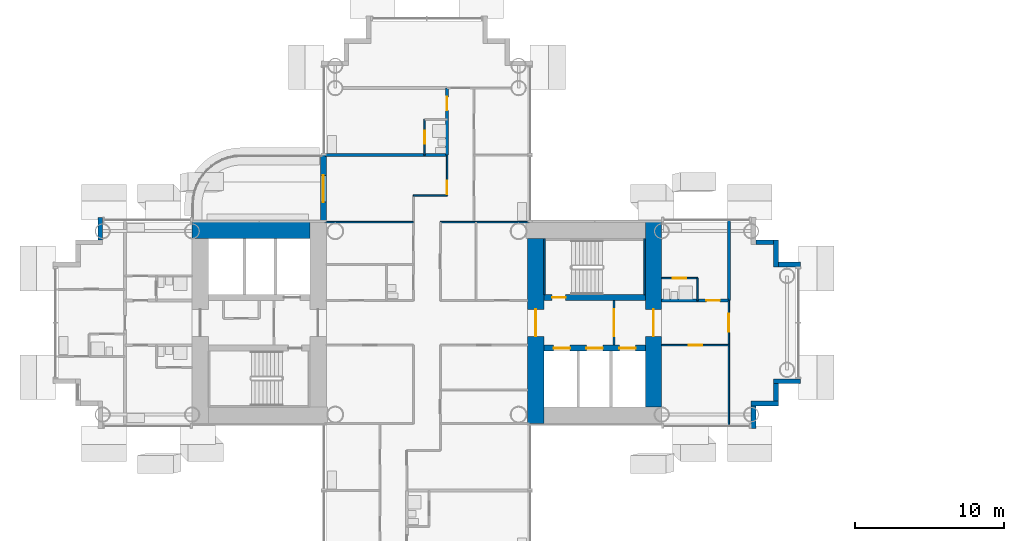
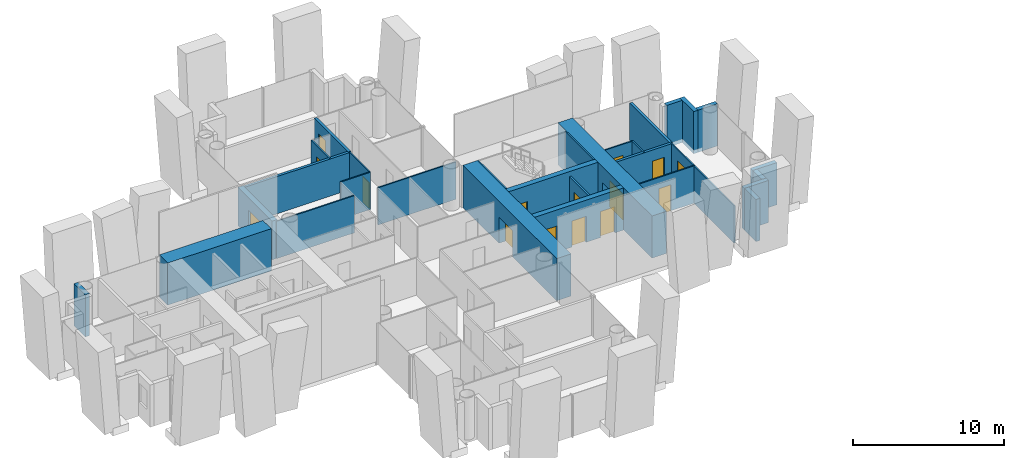
# One storey, part 12 of 25: 30 walls, 15 doors, 15 openings.
"""IFC4 building model written with IfcOpenShell, lengths in metres."""

from ifc_helpers import new_model, si_unit, direction, frame, frame_2d, origin, place, context, subcontext, project, spatial, rectangle, extrude, material, layer, layer_set, type_object, element, fill, save


model = new_model("IFC4")

# Units and contexts
model_context = context("Model", 3, precision=1e-05, world=origin(), true_north=direction((0.0, 1.0)))
body_context = subcontext(model_context, "Body", "Model", "MODEL_VIEW")
ifc_project = project(units=[si_unit("LENGTHUNIT", "METRE"), si_unit("AREAUNIT", "SQUARE_METRE"), si_unit("VOLUMEUNIT", "CUBIC_METRE"), si_unit("PLANEANGLEUNIT", "RADIAN"), si_unit("MASSUNIT", "GRAM", prefix="KILO")], contexts=[model_context])

# Site, building, storey
site_placement = place(None, origin())
site = spatial("IfcSite", under=ifc_project, at=site_placement, CompositionType="ELEMENT")
building_placement = place(site_placement, origin())
building = spatial("IfcBuilding", under=site, at=building_placement, Name="Ipe Terrace Towers", CompositionType="ELEMENT")
storey_placement = place(building_placement, frame((0.0, 0.0, 58.5)))
storey = spatial("IfcBuildingStorey", under=building, at=storey_placement, Name="L15", CompositionType="ELEMENT", Elevation=58.5)

# Wall, opening, door
ifc_material_1 = material(Name="Concrete C40/50 with buff precast cladding", Category="concrete")
ifc_layer_1 = layer(ifc_material_1, 0.39990234375)
ifc_layer_set_1 = layer_set([ifc_layer_1], Name="BALCONY BAY WALL 400")
wall_type_1 = type_object("IfcWallType", Name="BALCONY BAY WALL 400", PredefinedType="STANDARD", material=ifc_layer_set_1)
wall_1_placement = place(storey_placement, frame((-42.949951171875, 11.25, -0.02001953125), z_axis=(0.0, 0.0, 1.0), x_axis=(0.0, -1.0, 0.0)))
wall_1 = element("IfcWall", 1, at=wall_1_placement, inside=storey, type_object=wall_type_1, Name="T1-W-L15-44a wall", PredefinedType="STANDARD", context=body_context, shape_type="SweptSolid", body=[
    extrude(rectangle(XDim=4.5, YDim=0.39990234375, at=frame_2d((2.25, 0.0))), origin(), (0.0, 0.0, 1.0), 3.1201171875),
])
opening_1_placement = place(wall_1_placement, frame((1.35009765625, 0.0, 0.02001953125)))
opening_1 = element("IfcOpeningElement", 2, at=opening_1_placement, cuts=wall_1, Name="Opening T1-D-L15-44", PredefinedType="OPENING", context=body_context, shape_type="SweptSolid", body=[
    extrude(rectangle(XDim=1.800048828125, YDim=2.10009765625, at=frame_2d((0.89990234375, 1.050048828125))), frame((0.0, 0.2099609375, 0.0), z_axis=(0.0, -1.0, 0.0), x_axis=(1.0, 0.0, 0.0)), (0.0, 0.0, 1.0), 0.419921875),
])
ifc_material_2 = material(Name="Aluminium alloy 6063-T6 framed glazed door", Category="aluminium")
door_type_1 = type_object("IfcDoorType", Name="BALCONY DOOR 1800 x 2100 LEFT", OperationType="SINGLE_SWING_LEFT", PredefinedType="DOOR", material=ifc_material_2)
door_1_placement = place(opening_1_placement, origin())
door_1 = element("IfcDoor", 3, at=door_1_placement, inside=storey, type_object=door_type_1, Name="DB1 door", OperationType="SINGLE_SWING_LEFT", OverallHeight=2.10009765625, OverallWidth=1.800048828125, PredefinedType="DOOR", context=body_context, shape_type="SweptSolid", body=[
    extrude(rectangle(XDim=1.800048828125, YDim=2.10009765625, at=frame_2d((0.89990234375, 1.050048828125))), frame((0.0, 0.02490234375, 0.0), z_axis=(0.0, -1.0, 0.0), x_axis=(1.0, 0.0, 0.0)), (0.0, 0.0, 1.0), 0.050048828125),
])
fill(opening_1, door_1)

# Walls
ifc_material_3 = material(Name="Concrete C40/50 with buff precast cladding", Category="concrete")
ifc_layer_2 = layer(ifc_material_3, 0.320068359375)
ifc_layer_set_2 = layer_set([ifc_layer_2], Name="BUFF CLADDING WALL 320")
wall_type_2 = type_object("IfcWallType", Name="BUFF CLADDING WALL 320", PredefinedType="STANDARD", material=ifc_layer_set_2)
wall_2_placement = place(storey_placement, frame((-14.090087890625, -7.070068359375, -0.300048828125), z_axis=(0.0, 0.0, 1.0), x_axis=(0.0, 1.0, 0.0)))
element("IfcWall", 4, at=wall_2_placement, inside=storey, type_object=wall_type_2, Name="T1-W-L15-21a wall", PredefinedType="STANDARD", context=body_context, shape_type="SweptSolid", body=[
    extrude(rectangle(XDim=1.5, YDim=0.320068359375, at=frame_2d((0.75, 0.0))), origin(), (0.0, 0.0, 1.0), 3.400146484375),
])
wall_3_placement = place(storey_placement, frame((-14.25, -5.409912109375, -0.300048828125), z_axis=(0.0, 0.0, 1.0), x_axis=(1.0, 0.0, 0.0)))
element("IfcWall", 5, at=wall_3_placement, inside=storey, type_object=wall_type_2, Name="T1-W-L15-22a wall", PredefinedType="STANDARD", context=body_context, shape_type="SweptSolid", body=[
    extrude(rectangle(XDim=1.820068359375, YDim=0.320068359375, at=frame_2d((0.91015625, 0.0))), origin(), (0.0, 0.0, 1.0), 3.400146484375),
])
wall_4_placement = place(storey_placement, frame((-12.590087890625, -5.25, -0.300048828125), z_axis=(0.0, 0.0, 1.0), x_axis=(0.0, 1.0, 0.0)))
element("IfcWall", 6, at=wall_4_placement, inside=storey, type_object=wall_type_2, Name="T1-W-L15-23a wall", PredefinedType="STANDARD", context=body_context, shape_type="SweptSolid", body=[
    extrude(rectangle(XDim=1.179931640625, YDim=0.320068359375, at=frame_2d((0.58984375, 0.0))), origin(), (0.0, 0.0, 1.0), 3.400146484375),
])
wall_5_placement = place(storey_placement, frame((-12.75, -3.909912109375, -0.300048828125), z_axis=(0.0, 0.0, 1.0), x_axis=(1.0, 0.0, 0.0)))
element("IfcWall", 7, at=wall_5_placement, inside=storey, type_object=wall_type_2, Name="T1-W-L15-24a wall", PredefinedType="STANDARD", context=body_context, shape_type="SweptSolid", body=[
    extrude(rectangle(XDim=1.820068359375, YDim=0.320068359375, at=frame_2d((0.91015625, 0.0))), origin(), (0.0, 0.0, 1.0), 3.400146484375),
])
wall_6_placement = place(storey_placement, frame((-10.929931640625, 3.909912109375, -0.300048828125), z_axis=(0.0, 0.0, 1.0), x_axis=(-1.0, 0.0, 0.0)))
element("IfcWall", 8, at=wall_6_placement, inside=storey, type_object=wall_type_2, Name="T1-W-L15-26a wall", PredefinedType="STANDARD", context=body_context, shape_type="SweptSolid", body=[
    extrude(rectangle(XDim=1.5, YDim=0.320068359375, at=frame_2d((0.75, 0.0))), origin(), (0.0, 0.0, 1.0), 3.400146484375),
])
wall_7_placement = place(storey_placement, frame((-12.590087890625, 3.75, -0.300048828125), z_axis=(0.0, 0.0, 1.0), x_axis=(0.0, 1.0, 0.0)))
element("IfcWall", 9, at=wall_7_placement, inside=storey, type_object=wall_type_2, Name="T1-W-L15-27a wall", PredefinedType="STANDARD", context=body_context, shape_type="SweptSolid", body=[
    extrude(rectangle(XDim=1.820068359375, YDim=0.320068359375, at=frame_2d((0.91015625, 0.0))), origin(), (0.0, 0.0, 1.0), 3.400146484375),
])
wall_8_placement = place(storey_placement, frame((-12.75, 5.409912109375, -0.300048828125), z_axis=(0.0, 0.0, 1.0), x_axis=(-1.0, 0.0, 0.0)))
element("IfcWall", 10, at=wall_8_placement, inside=storey, type_object=wall_type_2, Name="T1-W-L15-28a wall", PredefinedType="STANDARD", context=body_context, shape_type="SweptSolid", body=[
    extrude(rectangle(XDim=1.179931640625, YDim=0.320068359375, at=frame_2d((0.58984375, 0.0))), origin(), (0.0, 0.0, 1.0), 3.400146484375),
])
wall_9_placement = place(storey_placement, frame((-57.909912109375, 7.070068359375, -0.300048828125), z_axis=(0.0, 0.0, 1.0), x_axis=(0.0, -1.0, 0.0)))
element("IfcWall", 11, at=wall_9_placement, inside=storey, type_object=wall_type_2, Name="T1-W-L15-47a wall", PredefinedType="STANDARD", context=body_context, shape_type="SweptSolid", body=[
    extrude(rectangle(XDim=1.5, YDim=0.320068359375, at=frame_2d((0.75, 0.0))), origin(), (0.0, 0.0, 1.0), 3.400146484375),
])

# Wall, opening, door
ifc_material_4 = material(Name="Gypsum board partition", Category="plasterboard")
ifc_layer_3 = layer(ifc_material_4, 0.10009765625)
ifc_layer_set_3 = layer_set([ifc_layer_3], Name="Gypsum board partition 100 mm")
wall_type_3 = type_object("IfcWallType", Name="Gypsum board partition 100 mm", PredefinedType="PARTITIONING", material=ifc_layer_set_3)
wall_10_placement = place(storey_placement, frame((-36.14990234375, 11.25, 0.0), z_axis=(0.0, 0.0, 1.0), x_axis=(0.0, 1.0, 0.0)))
wall_10 = element("IfcWall", 12, at=wall_10_placement, inside=storey, type_object=wall_type_3, Name="Gypsum board partition T1 L15 W11", PredefinedType="PARTITIONING", context=body_context, shape_type="SweptSolid", body=[
    extrude(rectangle(XDim=2.39990234375, YDim=0.10009765625, at=frame_2d((1.199951171875, 0.0))), origin(), (0.0, 0.0, 1.0), 3.0),
])
opening_2_placement = place(wall_10_placement, frame((0.75, 0.0, 0.0)))
opening_2 = element("IfcOpeningElement", 13, at=opening_2_placement, cuts=wall_10, Name="Opening T1-Z1D-11", PredefinedType="OPENING", context=body_context, shape_type="SweptSolid", body=[
    extrude(rectangle(XDim=0.89990234375, YDim=2.10009765625, at=frame_2d((0.449951171875, 1.050048828125))), frame((0.0, 0.06005859375, 0.0), z_axis=(0.0, -1.0, 0.0), x_axis=(1.0, 0.0, 0.0)), (0.0, 0.0, 1.0), 0.1201171875),
])
ifc_material_5 = material(Name="Timber door leaf", Category="wood")
door_type_2 = type_object("IfcDoorType", Name="Bathroom door 900 x 2100", OperationType="NOTDEFINED", PredefinedType="DOOR", material=ifc_material_5)
door_2_placement = place(opening_2_placement, origin())
door_2 = element("IfcDoor", 14, at=door_2_placement, inside=storey, type_object=door_type_2, Name="Bathroom door T1-Z1D-11", OperationType="SINGLE_SWING_LEFT", OverallHeight=2.10009765625, OverallWidth=0.89990234375, PredefinedType="DOOR", context=body_context, shape_type="SweptSolid", body=[
    extrude(rectangle(XDim=0.89990234375, YDim=2.10009765625, at=frame_2d((0.449951171875, 1.050048828125))), frame((0.0, 0.02490234375, 0.0), z_axis=(0.0, -1.0, 0.0), x_axis=(1.0, 0.0, 0.0)), (0.0, 0.0, 1.0), 0.050048828125),
])
fill(opening_2, door_2)

wall_11_placement = place(storey_placement, frame((-34.64990234375, 8.550048828125, 0.0), z_axis=(0.0, 0.0, 1.0), x_axis=(0.0, 1.0, 0.0)))
wall_11 = element("IfcWall", 15, at=wall_11_placement, inside=storey, type_object=wall_type_3, Name="Gypsum board partition T1 L15 W15", PredefinedType="PARTITIONING", context=body_context, shape_type="SweptSolid", body=[
    extrude(rectangle(XDim=2.699951171875, YDim=0.10009765625, at=frame_2d((1.35009765625, 0.0))), origin(), (0.0, 0.0, 1.0), 3.0),
])
opening_3_placement = place(wall_11_placement, frame((0.070068359375, 0.0, 0.0)))
opening_3 = element("IfcOpeningElement", 16, at=opening_3_placement, cuts=wall_11, Name="Opening T1-Z1D-09", PredefinedType="OPENING", context=body_context, shape_type="SweptSolid", body=[
    extrude(rectangle(XDim=0.89990234375, YDim=2.10009765625, at=frame_2d((0.449951171875, 1.050048828125))), frame((0.0, 0.06005859375, 0.0), z_axis=(0.0, -1.0, 0.0), x_axis=(1.0, 0.0, 0.0)), (0.0, 0.0, 1.0), 0.1201171875),
])
ifc_material_6 = material(Name="Timber door leaf", Category="wood")
door_type_3 = type_object("IfcDoorType", Name="Lounge door 900 x 2100", OperationType="NOTDEFINED", PredefinedType="DOOR", material=ifc_material_6)
door_3_placement = place(opening_3_placement, origin())
door_3 = element("IfcDoor", 17, at=door_3_placement, inside=storey, type_object=door_type_3, Name="Lounge door T1-Z1D-09", OperationType="SINGLE_SWING_RIGHT", OverallHeight=2.10009765625, OverallWidth=0.89990234375, PredefinedType="DOOR", context=body_context, shape_type="SweptSolid", body=[
    extrude(rectangle(XDim=0.89990234375, YDim=2.10009765625, at=frame_2d((0.449951171875, 1.050048828125))), frame((0.0, 0.02490234375, 0.0), z_axis=(0.0, -1.0, 0.0), x_axis=(1.0, 0.0, 0.0)), (0.0, 0.0, 1.0), 0.050048828125),
])
fill(opening_3, door_3)

# Wall
wall_12_placement = place(storey_placement, frame((-17.85009765625, 1.5, 0.0), z_axis=(0.0, 0.0, 1.0), x_axis=(0.0, 1.0, 0.0)))
element("IfcWall", 18, at=wall_12_placement, inside=storey, type_object=wall_type_3, Name="Gypsum board partition T1 L15 W19", PredefinedType="PARTITIONING", context=body_context, shape_type="SweptSolid", body=[
    extrude(rectangle(XDim=1.5, YDim=0.10009765625, at=frame_2d((0.75, 0.0))), origin(), (0.0, 0.0, 1.0), 3.0),
])

# Wall, opening, door
wall_13_placement = place(storey_placement, frame((-15.75, -6.85009765625, 0.0), z_axis=(0.0, 0.0, 1.0), x_axis=(0.0, 1.0, 0.0)))
wall_13 = element("IfcWall", 19, at=wall_13_placement, inside=storey, type_object=wall_type_3, Name="Gypsum board partition T1 L15 W20", PredefinedType="PARTITIONING", context=body_context, shape_type="SweptSolid", body=[
    extrude(rectangle(XDim=8.35009765625, YDim=0.10009765625, at=frame_2d((4.175048828125, 0.0))), origin(), (0.0, 0.0, 1.0), 3.0),
])
opening_4_placement = place(wall_13_placement, frame((6.25, 0.0, 0.0)))
opening_4 = element("IfcOpeningElement", 20, at=opening_4_placement, cuts=wall_13, Name="Opening T1-Z1D-24", PredefinedType="OPENING", context=body_context, shape_type="SweptSolid", body=[
    extrude(rectangle(XDim=1.199951171875, YDim=2.10009765625, at=frame_2d((0.60009765625, 1.050048828125))), frame((0.0, 0.06005859375, 0.0), z_axis=(0.0, -1.0, 0.0), x_axis=(1.0, 0.0, 0.0)), (0.0, 0.0, 1.0), 0.1201171875),
])
ifc_material_7 = material(Name="Timber door leaf", Category="wood")
door_type_4 = type_object("IfcDoorType", Name="Lounge door 1200 x 2100", OperationType="NOTDEFINED", PredefinedType="DOOR", material=ifc_material_7)
door_4_placement = place(opening_4_placement, origin())
door_4 = element("IfcDoor", 21, at=door_4_placement, inside=storey, type_object=door_type_4, Name="Lounge door T1-Z1D-24", OperationType="SINGLE_SWING_RIGHT", OverallHeight=2.10009765625, OverallWidth=1.199951171875, PredefinedType="DOOR", context=body_context, shape_type="SweptSolid", body=[
    extrude(rectangle(XDim=1.199951171875, YDim=2.10009765625, at=frame_2d((0.60009765625, 1.050048828125))), frame((0.0, 0.02490234375, 0.0), z_axis=(0.0, -1.0, 0.0), x_axis=(1.0, 0.0, 0.0)), (0.0, 0.0, 1.0), 0.050048828125),
])
fill(opening_4, door_4)

wall_14_placement = place(storey_placement, frame((-20.25, -1.5, 0.0), z_axis=(0.0, 0.0, 1.0), x_axis=(1.0, 0.0, 0.0)))
wall_14 = element("IfcWall", 22, at=wall_14_placement, inside=storey, type_object=wall_type_3, Name="Gypsum board partition T1 L15 W35", PredefinedType="PARTITIONING", context=body_context, shape_type="SweptSolid", body=[
    extrude(rectangle(XDim=4.5, YDim=0.10009765625, at=frame_2d((2.25, 0.0))), origin(), (0.0, 0.0, 1.0), 3.0),
])
opening_5_placement = place(wall_14_placement, frame((1.800048828125, 0.0, 0.0)))
opening_5 = element("IfcOpeningElement", 23, at=opening_5_placement, cuts=wall_14, Name="Opening T1-Z1D-23", PredefinedType="OPENING", context=body_context, shape_type="SweptSolid", body=[
    extrude(rectangle(XDim=0.89990234375, YDim=2.10009765625, at=frame_2d((0.449951171875, 1.050048828125))), frame((0.0, 0.06005859375, 0.0), z_axis=(0.0, -1.0, 0.0), x_axis=(1.0, 0.0, 0.0)), (0.0, 0.0, 1.0), 0.1201171875),
])
door_5_placement = place(opening_5_placement, origin())
door_5 = element("IfcDoor", 24, at=door_5_placement, inside=storey, type_object=door_type_3, Name="Lounge door T1-Z1D-23", OperationType="SINGLE_SWING_RIGHT", OverallHeight=2.10009765625, OverallWidth=0.89990234375, PredefinedType="DOOR", context=body_context, shape_type="SweptSolid", body=[
    extrude(rectangle(XDim=0.89990234375, YDim=2.10009765625, at=frame_2d((0.449951171875, 1.050048828125))), frame((0.0, 0.02490234375, 0.0), z_axis=(0.0, -1.0, 0.0), x_axis=(1.0, 0.0, 0.0)), (0.0, 0.0, 1.0), 0.050048828125),
])
fill(opening_5, door_5)

wall_15_placement = place(storey_placement, frame((-20.25, 3.0, 0.0), z_axis=(0.0, 0.0, 1.0), x_axis=(1.0, 0.0, 0.0)))
wall_15 = element("IfcWall", 25, at=wall_15_placement, inside=storey, type_object=wall_type_3, Name="Gypsum board partition T1 L15 W43", PredefinedType="PARTITIONING", context=body_context, shape_type="SweptSolid", body=[
    extrude(rectangle(XDim=2.39990234375, YDim=0.10009765625, at=frame_2d((1.199951171875, 0.0))), origin(), (0.0, 0.0, 1.0), 3.0),
])
opening_6_placement = place(wall_15_placement, frame((0.75, 0.0, 0.0)))
opening_6 = element("IfcOpeningElement", 26, at=opening_6_placement, cuts=wall_15, Name="Opening T1-Z1D-22", PredefinedType="OPENING", context=body_context, shape_type="SweptSolid", body=[
    extrude(rectangle(XDim=0.89990234375, YDim=2.10009765625, at=frame_2d((0.449951171875, 1.050048828125))), frame((0.0, 0.06005859375, 0.0), z_axis=(0.0, -1.0, 0.0), x_axis=(1.0, 0.0, 0.0)), (0.0, 0.0, 1.0), 0.1201171875),
])
door_6_placement = place(opening_6_placement, origin())
door_6 = element("IfcDoor", 27, at=door_6_placement, inside=storey, type_object=door_type_2, Name="Bathroom door T1-Z1D-22", OperationType="SINGLE_SWING_RIGHT", OverallHeight=2.10009765625, OverallWidth=0.89990234375, PredefinedType="DOOR", context=body_context, shape_type="SweptSolid", body=[
    extrude(rectangle(XDim=0.89990234375, YDim=2.10009765625, at=frame_2d((0.449951171875, 1.050048828125))), frame((0.0, 0.02490234375, 0.0), z_axis=(0.0, -1.0, 0.0), x_axis=(1.0, 0.0, 0.0)), (0.0, 0.0, 1.0), 0.050048828125),
])
fill(opening_6, door_6)

# Walls
for number, where, z_axis, x_axis, name in (
    (28, (-42.85009765625, 6.75, 0.0), (0.0, 0.0, 1.0), (1.0, 0.0, 0.0), "Gypsum board partition T1 L15 W46"),
    (29, (-35.10009765625, 6.75, 0.0), (0.0, 0.0, 1.0), (1.0, 0.0, 0.0), "Gypsum board partition T1 L15 W47"),
):
    element("IfcWall", number, at=place(storey_placement, frame(where, z_axis=z_axis, x_axis=x_axis)), inside=storey, type_object=wall_type_3, Name=name, PredefinedType="PARTITIONING", context=body_context, shape_type="SweptSolid", body=[
        extrude(rectangle(XDim=5.9501953125, YDim=0.10009765625, at=frame_2d((2.97509765625, 0.0))), origin(), (0.0, 0.0, 1.0), 3.0),
    ])
wall_16_placement = place(storey_placement, frame((-36.89990234375, 8.550048828125, 0.0), z_axis=(0.0, 0.0, 1.0), x_axis=(1.0, 0.0, 0.0)))
element("IfcWall", 30, at=wall_16_placement, inside=storey, type_object=wall_type_3, Name="Gypsum board partition T1 L15 W48", PredefinedType="PARTITIONING", context=body_context, shape_type="SweptSolid", body=[
    extrude(rectangle(XDim=2.25, YDim=0.10009765625, at=frame_2d((1.125, 0.0))), origin(), (0.0, 0.0, 1.0), 3.0),
])

# Wall, opening, door
ifc_material_8 = material(Name="Gypsum board partition", Category="plasterboard")
ifc_layer_4 = layer(ifc_material_8, 0.14990234375)
ifc_layer_set_4 = layer_set([ifc_layer_4], Name="Gypsum board partition 150 mm")
wall_type_4 = type_object("IfcWallType", Name="Gypsum board partition 150 mm", PredefinedType="PARTITIONING", material=ifc_layer_set_4)
wall_17_placement = place(storey_placement, frame((-23.449951171875, -1.5, 0.0), z_axis=(0.0, 0.0, 1.0), x_axis=(0.0, 1.0, 0.0)))
wall_17 = element("IfcWall", 31, at=wall_17_placement, inside=storey, type_object=wall_type_4, Name="Gypsum board partition T1 L15 t1c1-lobby-wall", PredefinedType="PARTITIONING", context=body_context, shape_type="SweptSolid", body=[
    extrude(rectangle(XDim=3.0, YDim=0.14990234375, at=frame_2d((1.5, 0.0))), origin(), (0.0, 0.0, 1.0), 3.0),
])
opening_7_placement = place(wall_17_placement, frame((0.60009765625, 0.0, 0.0)))
opening_7 = element("IfcOpeningElement", 32, at=opening_7_placement, cuts=wall_17, Name="Opening T1C1-VD", PredefinedType="OPENING", context=body_context, shape_type="SweptSolid", body=[
    extrude(rectangle(XDim=1.800048828125, YDim=2.10009765625, at=frame_2d((0.89990234375, 1.050048828125))), frame((0.0, 0.0849609375, 0.0), z_axis=(0.0, -1.0, 0.0), x_axis=(1.0, 0.0, 0.0)), (0.0, 0.0, 1.0), 0.169921875),
])
ifc_material_9 = material(Name="Fire-rated timber door leaf", Category="wood")
door_type_5 = type_object("IfcDoorType", Name="Lobby door 1800 x 2100 FD60", OperationType="NOTDEFINED", PredefinedType="DOOR", material=ifc_material_9)
door_7_placement = place(opening_7_placement, origin())
door_7 = element("IfcDoor", 33, at=door_7_placement, inside=storey, type_object=door_type_5, Name="Lobby door T1C1-VD", OperationType="SINGLE_SWING_LEFT", OverallHeight=2.10009765625, OverallWidth=1.800048828125, PredefinedType="DOOR", context=body_context, shape_type="SweptSolid", body=[
    extrude(rectangle(XDim=1.800048828125, YDim=2.10009765625, at=frame_2d((0.89990234375, 1.050048828125))), frame((0.0, 0.02490234375, 0.0), z_axis=(0.0, -1.0, 0.0), x_axis=(1.0, 0.0, 0.0)), (0.0, 0.0, 1.0), 0.050048828125),
])
fill(opening_7, door_7)

ifc_material_10 = material(Name="Gypsum board party wall", Category="plasterboard")
ifc_layer_5 = layer(ifc_material_10, 0.199951171875)
ifc_layer_set_5 = layer_set([ifc_layer_5], Name="Gypsum board party wall 200 mm")
wall_type_5 = type_object("IfcWallType", Name="Gypsum board party wall 200 mm", PredefinedType="SOLIDWALL", material=ifc_layer_set_5)
wall_18_placement = place(storey_placement, frame((-34.64990234375, 11.25, 0.0), z_axis=(0.0, 0.0, 1.0), x_axis=(0.0, 1.0, 0.0)))
wall_18 = element("IfcWall", 34, at=wall_18_placement, inside=storey, type_object=wall_type_5, Name="Gypsum board party wall T1 L15 W16", PredefinedType="SOLIDWALL", context=body_context, shape_type="SweptSolid", body=[
    extrude(rectangle(XDim=4.5, YDim=0.199951171875, at=frame_2d((2.25, 0.0))), origin(), (0.0, 0.0, 1.0), 3.0),
])
opening_8_placement = place(wall_18_placement, frame((3.0, 0.0, 0.0)))
opening_8 = element("IfcOpeningElement", 35, at=opening_8_placement, cuts=wall_18, Name="Opening T1-Z1D-10", PredefinedType="OPENING", context=body_context, shape_type="SweptSolid", body=[
    extrude(rectangle(XDim=0.89990234375, YDim=2.10009765625, at=frame_2d((0.449951171875, 1.050048828125))), frame((0.0, 0.10986328125, 0.0), z_axis=(0.0, -1.0, 0.0), x_axis=(1.0, 0.0, 0.0)), (0.0, 0.0, 1.0), 0.219970703125),
])
ifc_material_11 = material(Name="Fire-rated timber door leaf", Category="wood")
door_type_6 = type_object("IfcDoorType", Name="Flat entrance door 900 x 2100 FD30S", OperationType="NOTDEFINED", PredefinedType="DOOR", material=ifc_material_11)
door_8_placement = place(opening_8_placement, origin())
door_8 = element("IfcDoor", 36, at=door_8_placement, inside=storey, type_object=door_type_6, Name="Flat entrance door T1-Z1D-10", OperationType="SINGLE_SWING_LEFT", OverallHeight=2.10009765625, OverallWidth=0.89990234375, PredefinedType="DOOR", context=body_context, shape_type="SweptSolid", body=[
    extrude(rectangle(XDim=0.89990234375, YDim=2.10009765625, at=frame_2d((0.449951171875, 1.050048828125))), frame((0.0, 0.02490234375, 0.0), z_axis=(0.0, -1.0, 0.0), x_axis=(1.0, 0.0, 0.0)), (0.0, 0.0, 1.0), 0.050048828125),
])
fill(opening_8, door_8)

# Wall
wall_19_placement = place(storey_placement, frame((-15.75, 1.5, 0.0), z_axis=(0.0, 0.0, 1.0), x_axis=(0.0, 1.0, 0.0)))
element("IfcWall", 37, at=wall_19_placement, inside=storey, type_object=wall_type_5, Name="Gypsum board party wall T1 L15 W21", PredefinedType="SOLIDWALL", context=body_context, shape_type="SweptSolid", body=[
    extrude(rectangle(XDim=5.35009765625, YDim=0.199951171875, at=frame_2d((2.675048828125, 0.0))), origin(), (0.0, 0.0, 1.0), 3.0),
])

# Wall, opening, door
wall_20_placement = place(storey_placement, frame((-20.25, 1.5, 0.0), z_axis=(0.0, 0.0, 1.0), x_axis=(1.0, 0.0, 0.0)))
wall_20 = element("IfcWall", 38, at=wall_20_placement, inside=storey, type_object=wall_type_5, Name="Gypsum board party wall T1 L15 W41", PredefinedType="SOLIDWALL", context=body_context, shape_type="SweptSolid", body=[
    extrude(rectangle(XDim=4.5, YDim=0.199951171875, at=frame_2d((2.25, 0.0))), origin(), (0.0, 0.0, 1.0), 3.0),
])
opening_9_placement = place(wall_20_placement, frame((3.0, 0.0, 0.0)))
opening_9 = element("IfcOpeningElement", 39, at=opening_9_placement, cuts=wall_20, Name="Opening T1-Z1D-21", PredefinedType="OPENING", context=body_context, shape_type="SweptSolid", body=[
    extrude(rectangle(XDim=0.89990234375, YDim=2.10009765625, at=frame_2d((0.449951171875, 1.050048828125))), frame((0.0, 0.10986328125, 0.0), z_axis=(0.0, -1.0, 0.0), x_axis=(1.0, 0.0, 0.0)), (0.0, 0.0, 1.0), 0.219970703125),
])
door_9_placement = place(opening_9_placement, origin())
door_9 = element("IfcDoor", 40, at=door_9_placement, inside=storey, type_object=door_type_6, Name="Flat entrance door T1-Z1D-21", OperationType="SINGLE_SWING_LEFT", OverallHeight=2.10009765625, OverallWidth=0.89990234375, PredefinedType="DOOR", context=body_context, shape_type="SweptSolid", body=[
    extrude(rectangle(XDim=0.89990234375, YDim=2.10009765625, at=frame_2d((0.449951171875, 1.050048828125))), frame((0.0, 0.02490234375, 0.0), z_axis=(0.0, -1.0, 0.0), x_axis=(1.0, 0.0, 0.0)), (0.0, 0.0, 1.0), 0.050048828125),
])
fill(opening_9, door_9)

# Walls
wall_21_placement = place(storey_placement, frame((-42.85009765625, 11.25, 0.0), z_axis=(0.0, 0.0, 1.0), x_axis=(1.0, 0.0, 0.0)))
element("IfcWall", 41, at=wall_21_placement, inside=storey, type_object=wall_type_5, Name="Gypsum board party wall T1 L15 W50", PredefinedType="SOLIDWALL", context=body_context, shape_type="SweptSolid", body=[
    extrude(rectangle(XDim=8.2001953125, YDim=0.199951171875, at=frame_2d((4.10009765625, 0.0))), origin(), (0.0, 0.0, 1.0), 3.0),
])
ifc_material_12 = material(Name="Concrete C60/75", Category="concrete")
ifc_layer_6 = layer(ifc_material_12, 0.10009765625)
ifc_layer_set_6 = layer_set([ifc_layer_6], Name="RW100 CORE INFILL WALL 100 C60-75")
wall_type_6 = type_object("IfcWallType", Name="RW100 CORE INFILL WALL 100 C60-75", PredefinedType="SHEAR", material=ifc_layer_set_6)
for number, where, z_axis, x_axis, name in (
    (42, (-21.39990234375, 1.89990234375, 0.0), (0.0, 0.0, 1.0), (0.0, 1.0, 0.0), "Core infill wall T1-C1-far"),
    (43, (-28.10009765625, 1.89990234375, 0.0), (0.0, 0.0, 1.0), (0.0, 1.0, 0.0), "Core infill wall T1-C1-near"),
):
    element("IfcWall", number, at=place(storey_placement, frame(where, z_axis=z_axis, x_axis=x_axis)), inside=storey, type_object=wall_type_6, Name=name, PredefinedType="SHEAR", context=body_context, shape_type="SweptSolid", body=[
        extrude(rectangle(XDim=3.75, YDim=0.10009765625, at=frame_2d((1.875, 0.0))), origin(), (0.0, 0.0, 1.0), 3.39990234375),
    ])

# Wall, opening, door
ifc_material_13 = material(Name="Concrete C60/75", Category="concrete")
ifc_layer_7 = layer(ifc_material_13, 1.10009765625)
ifc_layer_set_7 = layer_set([ifc_layer_7], Name="RW1100 CORE WALL 1100 C60-75")
wall_type_7 = type_object("IfcWallType", Name="RW1100 CORE WALL 1100 C60-75", PredefinedType="SHEAR", material=ifc_layer_set_7)
wall_22_placement = place(storey_placement, frame((-20.800048828125, -5.64990234375, 0.0), z_axis=(0.0, 0.0, 1.0), x_axis=(0.0, 1.0, 0.0)))
wall_22 = element("IfcWall", 44, at=wall_22_placement, inside=storey, type_object=wall_type_7, Name="Core wall T1-C1-Z1-W02", PredefinedType="SHEAR", context=body_context, shape_type="SweptSolid", body=[
    extrude(rectangle(XDim=12.39990234375, YDim=1.10009765625, at=frame_2d((6.199951171875, 0.0))), origin(), (0.0, 0.0, 1.0), 3.39990234375),
])
opening_10_placement = place(wall_22_placement, frame((4.75, 0.0, 0.0)))
opening_10 = element("IfcOpeningElement", 45, at=opening_10_placement, cuts=wall_22, Name="Opening T1C1-FD", PredefinedType="OPENING", context=body_context, shape_type="SweptSolid", body=[
    extrude(rectangle(XDim=1.800048828125, YDim=2.10009765625, at=frame_2d((0.89990234375, 1.050048828125))), frame((0.0, 0.56005859375, 0.0), z_axis=(0.0, -1.0, 0.0), x_axis=(1.0, 0.0, 0.0)), (0.0, 0.0, 1.0), 1.1201171875),
])
ifc_material_14 = material(Name="Fire-rated timber door leaf", Category="wood")
door_type_7 = type_object("IfcDoorType", Name="Fire door 1800 x 2100 FD30S", OperationType="NOTDEFINED", PredefinedType="DOOR", material=ifc_material_14)
door_10_placement = place(opening_10_placement, origin())
door_10 = element("IfcDoor", 46, at=door_10_placement, inside=storey, type_object=door_type_7, Name="Fire door T1C1-FD", OperationType="SINGLE_SWING_LEFT", OverallHeight=2.10009765625, OverallWidth=1.800048828125, PredefinedType="DOOR", context=body_context, shape_type="SweptSolid", body=[
    extrude(rectangle(XDim=1.800048828125, YDim=2.10009765625, at=frame_2d((0.89990234375, 1.050048828125))), frame((0.0, 0.02490234375, 0.0), z_axis=(0.0, -1.0, 0.0), x_axis=(1.0, 0.0, 0.0)), (0.0, 0.0, 1.0), 0.050048828125),
])
fill(opening_10, door_10)

wall_23_placement = place(storey_placement, frame((-28.699951171875, 5.64990234375, 0.0), z_axis=(0.0, 0.0, 1.0), x_axis=(0.0, -1.0, 0.0)))
wall_23 = element("IfcWall", 47, at=wall_23_placement, inside=storey, type_object=wall_type_7, Name="Core wall T1-C1-Z1-W04", PredefinedType="SHEAR", context=body_context, shape_type="SweptSolid", body=[
    extrude(rectangle(XDim=12.39990234375, YDim=1.10009765625, at=frame_2d((6.199951171875, 0.0))), origin(), (0.0, 0.0, 1.0), 3.39990234375),
])
opening_11_placement = place(wall_23_placement, frame((4.75, 0.0, 0.0)))
opening_11 = element("IfcOpeningElement", 48, at=opening_11_placement, cuts=wall_23, Name="Opening T1C1-ND", PredefinedType="OPENING", context=body_context, shape_type="SweptSolid", body=[
    extrude(rectangle(XDim=1.800048828125, YDim=2.10009765625, at=frame_2d((0.89990234375, 1.050048828125))), frame((0.0, 0.56005859375, 0.0), z_axis=(0.0, -1.0, 0.0), x_axis=(1.0, 0.0, 0.0)), (0.0, 0.0, 1.0), 1.1201171875),
])
door_11_placement = place(opening_11_placement, origin())
door_11 = element("IfcDoor", 49, at=door_11_placement, inside=storey, type_object=door_type_7, Name="Fire door T1C1-ND", OperationType="SINGLE_SWING_LEFT", OverallHeight=2.10009765625, OverallWidth=1.800048828125, PredefinedType="DOOR", context=body_context, shape_type="SweptSolid", body=[
    extrude(rectangle(XDim=1.800048828125, YDim=2.10009765625, at=frame_2d((0.89990234375, 1.050048828125))), frame((0.0, 0.02490234375, 0.0), z_axis=(0.0, -1.0, 0.0), x_axis=(1.0, 0.0, 0.0)), (0.0, 0.0, 1.0), 0.050048828125),
])
fill(opening_11, door_11)

# Wall
wall_24_placement = place(storey_placement, frame((-43.85009765625, 6.199951171875, 0.0), z_axis=(0.0, 0.0, 1.0), x_axis=(-1.0, 0.0, 0.0)))
element("IfcWall", 50, at=wall_24_placement, inside=storey, type_object=wall_type_7, Name="Core wall T1-C2-Z1-W03", PredefinedType="SHEAR", context=body_context, shape_type="SweptSolid", body=[
    extrude(rectangle(XDim=7.89990234375, YDim=1.10009765625, at=frame_2d((3.949951171875, 0.0))), origin(), (0.0, 0.0, 1.0), 3.39990234375),
])

# Wall, openings, doors
ifc_material_15 = material(Name="Concrete C60/75", Category="concrete")
ifc_layer_8 = layer(ifc_material_15, 0.39990234375)
ifc_layer_set_8 = layer_set([ifc_layer_8], Name="RW400 CORE SPINE WALL 400 C60-75")
wall_type_8 = type_object("IfcWallType", Name="RW400 CORE SPINE WALL 400 C60-75", PredefinedType="SHEAR", material=ifc_layer_set_8)
wall_25_placement = place(storey_placement, frame((-28.14990234375, -1.699951171875, 0.0), z_axis=(0.0, 0.0, 1.0), x_axis=(1.0, 0.0, 0.0)))
wall_25 = element("IfcWall", 51, at=wall_25_placement, inside=storey, type_object=wall_type_8, Name="Core spine wall T1-C1-Z1-SW1", PredefinedType="SHEAR", context=body_context, shape_type="SweptSolid", body=[
    extrude(rectangle(XDim=6.7998046875, YDim=0.39990234375, at=frame_2d((3.39990234375, 0.0))), origin(), (0.0, 0.0, 1.0), 3.39990234375),
])
opening_12_placement = place(wall_25_placement, frame((0.64990234375, 0.0, 0.0)))
opening_12 = element("IfcOpeningElement", 52, at=opening_12_placement, cuts=wall_25, Name="Opening T1C1-LD1", PredefinedType="OPENING", context=body_context, shape_type="SweptSolid", body=[
    extrude(rectangle(XDim=1.10009765625, YDim=2.10009765625, at=frame_2d((0.550048828125, 1.050048828125))), frame((0.0, 0.2099609375, 0.0), z_axis=(0.0, -1.0, 0.0), x_axis=(1.0, 0.0, 0.0)), (0.0, 0.0, 1.0), 0.419921875),
])
opening_13_placement = place(wall_25_placement, frame((2.85009765625, 0.0, 0.0)))
opening_13 = element("IfcOpeningElement", 53, at=opening_13_placement, cuts=wall_25, Name="Opening T1C1-LD2", PredefinedType="OPENING", context=body_context, shape_type="SweptSolid", body=[
    extrude(rectangle(XDim=1.10009765625, YDim=2.10009765625, at=frame_2d((0.550048828125, 1.050048828125))), frame((0.0, 0.2099609375, 0.0), z_axis=(0.0, -1.0, 0.0), x_axis=(1.0, 0.0, 0.0)), (0.0, 0.0, 1.0), 0.419921875),
])
opening_14_placement = place(wall_25_placement, frame((5.050048828125, 0.0, 0.0)))
opening_14 = element("IfcOpeningElement", 54, at=opening_14_placement, cuts=wall_25, Name="Opening T1C1-LD3", PredefinedType="OPENING", context=body_context, shape_type="SweptSolid", body=[
    extrude(rectangle(XDim=1.10009765625, YDim=2.10009765625, at=frame_2d((0.550048828125, 1.050048828125))), frame((0.0, 0.2099609375, 0.0), z_axis=(0.0, -1.0, 0.0), x_axis=(1.0, 0.0, 0.0)), (0.0, 0.0, 1.0), 0.419921875),
])
ifc_material_16 = material(Name="Fire-rated timber door leaf", Category="wood")
door_type_8 = type_object("IfcDoorType", Name="Sliding door 1100 x 2100 FD60", OperationType="SLIDING_TO_LEFT", PredefinedType="DOOR", material=ifc_material_16)
door_12_placement = place(opening_12_placement, origin())
door_12 = element("IfcDoor", 55, at=door_12_placement, inside=storey, type_object=door_type_8, Name="Sliding door T1C1-LD1", OperationType="SLIDING_TO_LEFT", OverallHeight=2.10009765625, OverallWidth=1.10009765625, PredefinedType="DOOR", context=body_context, shape_type="SweptSolid", body=[
    extrude(rectangle(XDim=1.10009765625, YDim=2.10009765625, at=frame_2d((0.550048828125, 1.050048828125))), frame((0.0, 0.02490234375, 0.0), z_axis=(0.0, -1.0, 0.0), x_axis=(1.0, 0.0, 0.0)), (0.0, 0.0, 1.0), 0.050048828125),
])
fill(opening_12, door_12)
door_13_placement = place(opening_13_placement, origin())
door_13 = element("IfcDoor", 56, at=door_13_placement, inside=storey, type_object=door_type_8, Name="Sliding door T1C1-LD2", OperationType="SLIDING_TO_LEFT", OverallHeight=2.10009765625, OverallWidth=1.10009765625, PredefinedType="DOOR", context=body_context, shape_type="SweptSolid", body=[
    extrude(rectangle(XDim=1.10009765625, YDim=2.10009765625, at=frame_2d((0.550048828125, 1.050048828125))), frame((0.0, 0.02490234375, 0.0), z_axis=(0.0, -1.0, 0.0), x_axis=(1.0, 0.0, 0.0)), (0.0, 0.0, 1.0), 0.050048828125),
])
fill(opening_13, door_13)
door_14_placement = place(opening_14_placement, origin())
door_14 = element("IfcDoor", 57, at=door_14_placement, inside=storey, type_object=door_type_8, Name="Sliding door T1C1-LD3", OperationType="SLIDING_TO_LEFT", OverallHeight=2.10009765625, OverallWidth=1.10009765625, PredefinedType="DOOR", context=body_context, shape_type="SweptSolid", body=[
    extrude(rectangle(XDim=1.10009765625, YDim=2.10009765625, at=frame_2d((0.550048828125, 1.050048828125))), frame((0.0, 0.02490234375, 0.0), z_axis=(0.0, -1.0, 0.0), x_axis=(1.0, 0.0, 0.0)), (0.0, 0.0, 1.0), 0.050048828125),
])
fill(opening_14, door_14)

# Wall, opening, door
wall_26_placement = place(storey_placement, frame((-28.14990234375, 1.699951171875, 0.0), z_axis=(0.0, 0.0, 1.0), x_axis=(1.0, 0.0, 0.0)))
wall_26 = element("IfcWall", 58, at=wall_26_placement, inside=storey, type_object=wall_type_8, Name="Core spine wall T1-C1-Z1-SW2", PredefinedType="SHEAR", context=body_context, shape_type="SweptSolid", body=[
    extrude(rectangle(XDim=6.7998046875, YDim=0.39990234375, at=frame_2d((3.39990234375, 0.0))), origin(), (0.0, 0.0, 1.0), 3.39990234375),
])
opening_15_placement = place(wall_26_placement, frame((0.550048828125, 0.0, 0.0)))
opening_15 = element("IfcOpeningElement", 59, at=opening_15_placement, cuts=wall_26, Name="Opening T1C1-SD", PredefinedType="OPENING", context=body_context, shape_type="SweptSolid", body=[
    extrude(rectangle(XDim=0.89990234375, YDim=2.10009765625, at=frame_2d((0.449951171875, 1.050048828125))), frame((0.0, 0.2099609375, 0.0), z_axis=(0.0, -1.0, 0.0), x_axis=(1.0, 0.0, 0.0)), (0.0, 0.0, 1.0), 0.419921875),
])
ifc_material_17 = material(Name="Fire-rated timber door leaf", Category="wood")
door_type_9 = type_object("IfcDoorType", Name="Stair door 900 x 2100 FD60", OperationType="NOTDEFINED", PredefinedType="DOOR", material=ifc_material_17)
door_15_placement = place(opening_15_placement, origin())
door_15 = element("IfcDoor", 60, at=door_15_placement, inside=storey, type_object=door_type_9, Name="Stair door T1C1-SD", OperationType="SINGLE_SWING_LEFT", OverallHeight=2.10009765625, OverallWidth=0.89990234375, PredefinedType="DOOR", context=body_context, shape_type="SweptSolid", body=[
    extrude(rectangle(XDim=0.89990234375, YDim=2.10009765625, at=frame_2d((0.449951171875, 1.050048828125))), frame((0.0, 0.02490234375, 0.0), z_axis=(0.0, -1.0, 0.0), x_axis=(1.0, 0.0, 0.0)), (0.0, 0.0, 1.0), 0.050048828125),
])
fill(opening_15, door_15)

save(model, "model.ifc")
